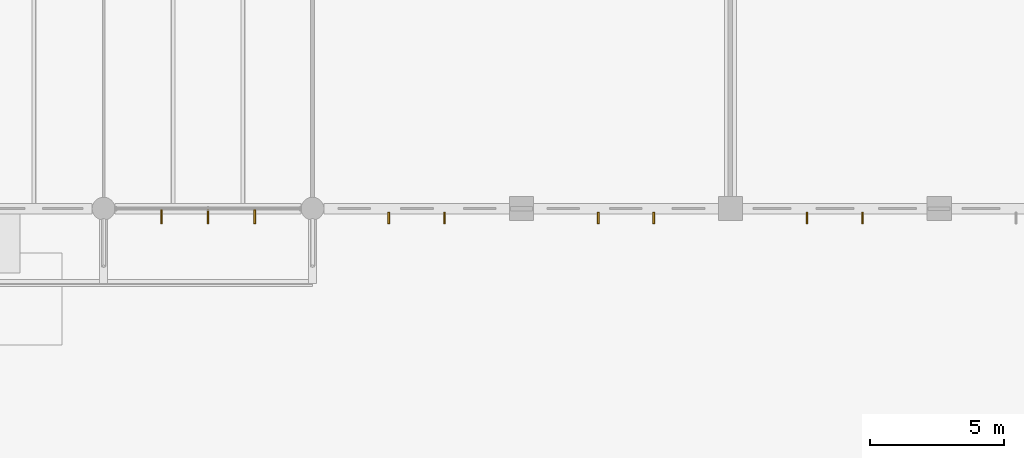
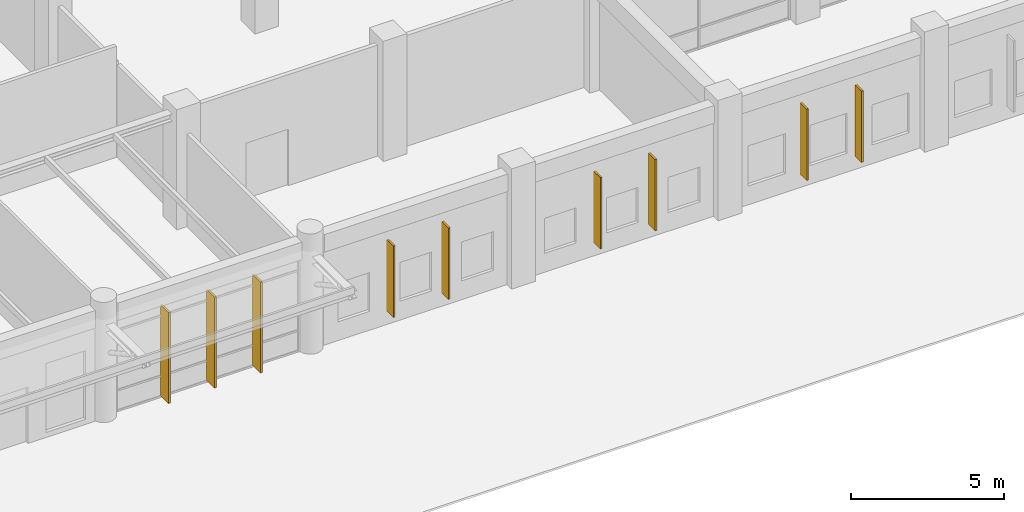
# One storey, part 66 of 74: 9 shading devices.
"""IFC4 building model written with IfcOpenShell, lengths in metres."""

from ifc_helpers import new_model, si_unit, direction, frame, origin, origin_2d, place, context, subcontext, project, spatial, rectangle, extrude, material, layer, layer_set, type_object, element, save


model = new_model("IFC4")

# Units and contexts
model_context = context("Model", 3, precision=1e-05, world=origin(), true_north=direction((0.0, 1.0)))
body_context = subcontext(model_context, "Body", "Model", "MODEL_VIEW")
ifc_project = project(units=[si_unit("LENGTHUNIT", "METRE"), si_unit("AREAUNIT", "SQUARE_METRE"), si_unit("VOLUMEUNIT", "CUBIC_METRE"), si_unit("PLANEANGLEUNIT", "RADIAN"), si_unit("MASSUNIT", "GRAM", prefix="KILO"), si_unit("THERMODYNAMICTEMPERATUREUNIT", "KELVIN"), si_unit("POWERUNIT", "WATT")], contexts=[model_context])

# Site, building, storey
site_placement = place(None, origin())
site = spatial("IfcSite", under=ifc_project, at=site_placement, CompositionType="ELEMENT")
building_placement = place(site_placement, origin())
building = spatial("IfcBuilding", under=site, at=building_placement, Name="Srebrne Nadtorze General Hospital", CompositionType="ELEMENT")
storey_placement = place(building_placement, origin())
storey = spatial("IfcBuildingStorey", under=building, at=storey_placement, Name="L00", CompositionType="ELEMENT", Elevation=0.0)

# Shading devices
ifc_material = material(Name="Anodised Aluminium", Category="aluminium")
ifc_layer = layer(ifc_material, 0.070068359375)
ifc_layer_set = layer_set([ifc_layer], Name="Anodised Aluminium")
shading_device_type = type_object("IfcShadingDeviceType", Name="Koushi vertical brise-soleil fin", PredefinedType="SHUTTER", material=ifc_layer_set)
for number, where, z_axis, x_axis, name in (
    (1, (95.762451171875, -0.300048828125, 0.06005859375), (0.0, 0.0, 1.0), (1.0, 0.0, 0.0), "Koushi vertical brise-soleil fin LV-007"),
    (2, (97.5, -0.300048828125, 0.06005859375), (0.0, 0.0, 1.0), (1.0, 0.0, 0.0), "Koushi vertical brise-soleil fin LV-008"),
    (3, (99.237548828125, -0.300048828125, 0.06005859375), (0.0, 0.0, 1.0), (1.0, 0.0, 0.0), "Koushi vertical brise-soleil fin LV-009"),
):
    element("IfcShadingDevice", number, at=place(storey_placement, frame(where, z_axis=z_axis, x_axis=x_axis)), inside=storey, type_object=shading_device_type, Name=name, PredefinedType="SHUTTER", context=body_context, shape_type="SweptSolid", body=[
        extrude(rectangle(XDim=0.070068359375, YDim=0.52001953125, at=origin_2d()), origin(), (0.0, 0.0, 1.0), 3.6298828125),
    ])
for number, where, z_axis, x_axis, name in (
    (4, (104.248779296875, -0.35009765625, 0.52490234375), (0.0, 0.0, 1.0), (1.0, 0.0, 0.0), "Clinic koushi vertical fin LV-010"),
    (5, (106.326416015625, -0.35009765625, 0.52490234375), (0.0, 0.0, 1.0), (1.0, 0.0, 0.0), "Clinic koushi vertical fin LV-011"),
    (6, (112.06494140625, -0.35009765625, 0.52490234375), (0.0, 0.0, 1.0), (1.0, 0.0, 0.0), "Clinic koushi vertical fin LV-012"),
    (7, (114.135009765625, -0.35009765625, 0.52490234375), (0.0, 0.0, 1.0), (1.0, 0.0, 0.0), "Clinic koushi vertical fin LV-013"),
    (8, (119.864990234375, -0.35009765625, 0.52490234375), (0.0, 0.0, 1.0), (1.0, 0.0, 0.0), "Clinic koushi vertical fin LV-014"),
    (9, (121.93505859375, -0.35009765625, 0.52490234375), (0.0, 0.0, 1.0), (1.0, 0.0, 0.0), "Clinic koushi vertical fin LV-015"),
):
    element("IfcShadingDevice", number, at=place(storey_placement, frame(where, z_axis=z_axis, x_axis=x_axis)), inside=storey, type_object=shading_device_type, Name=name, PredefinedType="SHUTTER", context=body_context, shape_type="SweptSolid", body=[
        extrude(rectangle(XDim=0.070068359375, YDim=0.43994140625, at=origin_2d()), origin(), (0.0, 0.0, 1.0), 2.85009765625),
    ])

save(model, "model.ifc")
